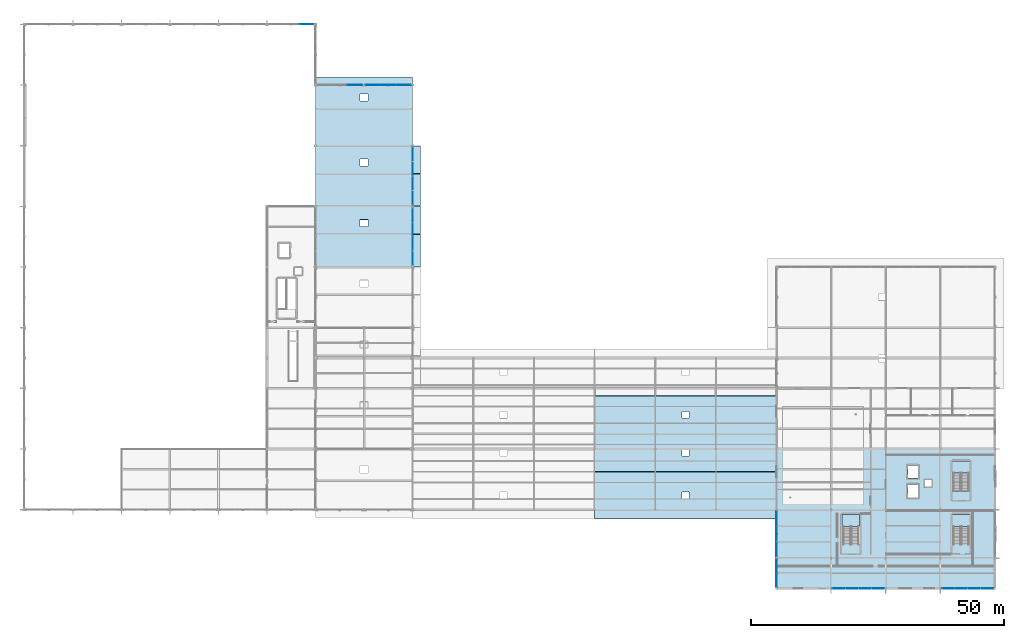
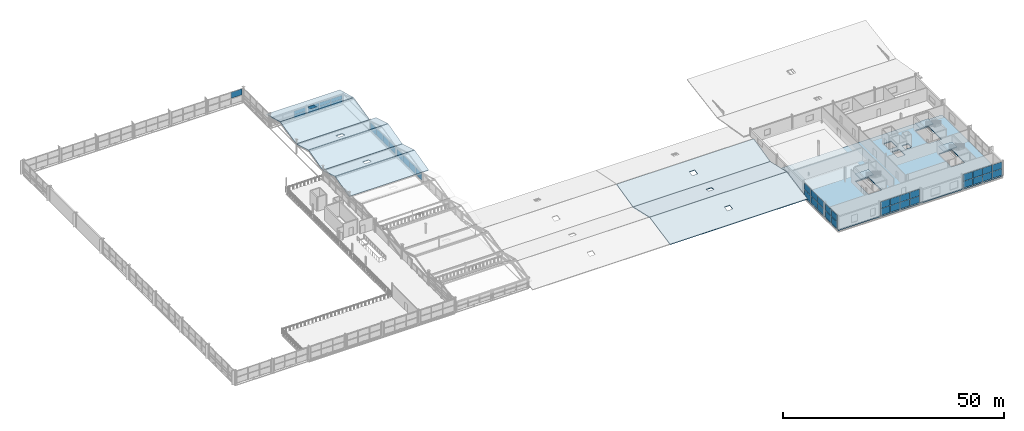
# One storey, part 95 of 117: 43 plates, 13 slabs, 12 elements without a shape of their own.
"""IFC4 building model written with IfcOpenShell, lengths in metres."""

from ifc_helpers import new_model, si_unit, direction, frame, origin, origin_2d, place, context, subcontext, project, spatial, polyline, rectangle, outline, extrude, material, layer, layer_set, type_object, element, aggregate, save


model = new_model("IFC4")

# Units and contexts
model_context = context("Model", 3, precision=1e-05, world=origin(), true_north=direction((0.0, 1.0)))
body_context = subcontext(model_context, "Body", "Model", "MODEL_VIEW")
ifc_project = project(units=[si_unit("LENGTHUNIT", "METRE"), si_unit("AREAUNIT", "SQUARE_METRE"), si_unit("VOLUMEUNIT", "CUBIC_METRE"), si_unit("PLANEANGLEUNIT", "RADIAN"), si_unit("MASSUNIT", "GRAM", prefix="KILO")], contexts=[model_context])

# Site, building, storey
site_placement = place(None, origin())
site = spatial("IfcSite", under=ifc_project, at=site_placement, CompositionType="ELEMENT")
building_placement = place(site_placement, origin())
building = spatial("IfcBuilding", under=site, at=building_placement, Name="Merenkruunu Market Hall", CompositionType="ELEMENT")
storey_placement = place(building_placement, frame((0.0, 0.0, 10.199951171875)))
storey = spatial("IfcBuildingStorey", under=building, at=storey_placement, Name="L02", CompositionType="ELEMENT", Elevation=10.199951171875)

# Curtain wall, plate
ifc_material_1 = material(Name="Powder-coated aluminium", Category="aluminium")
curtain_wall_type_1 = type_object("IfcCurtainWallType", Name="Glazed Curtain Wall CW10", PredefinedType="USERDEFINED", material=ifc_material_1)
curtain_wall_1_placement = place(storey_placement, origin())
curtain_wall_1 = element("IfcCurtainWall", 1, at=curtain_wall_1_placement, inside=storey, type_object=curtain_wall_type_1, Name="CW-L02-CWM02-066", ObjectType="GLAZED_FACADE", PredefinedType="USERDEFINED")
ifc_material_2 = material(Name="Triple low-E insulated glass", Category="glass")
ifc_layer_1 = layer(ifc_material_2, 0.035888671875)
ifc_layer_set_1 = layer_set([ifc_layer_1], Name="Triple low-E insulated glass")
plate_type_1 = type_object("IfcPlateType", Name="Curtain Wall Glazing Panel CWP05", PredefinedType="CURTAIN_PANEL", material=ifc_layer_set_1)
plate_1_placement = place(storey_placement, frame((55.79833984375, 111.60009765625, 1.7802734375), z_axis=(0.0, 0.0, 1.0), x_axis=(1.0, 0.0, 0.0)))
plate_1 = element("IfcPlate", 2, at=plate_1_placement, type_object=plate_type_1, Name="CW10 panel 3.2", PredefinedType="CURTAIN_PANEL", context=body_context, shape_type="SweptSolid", body=[
    extrude(rectangle(XDim=2.92333984375, YDim=0.035888671875, at=origin_2d()), origin(), (0.0, 0.0, 1.0), 1.659912109375),
])
aggregate(curtain_wall_1, [plate_1])

# Curtain wall, plates
curtain_wall_type_2 = type_object("IfcCurtainWallType", Name="Glazed Curtain Wall CW07", PredefinedType="USERDEFINED", material=ifc_material_1)
curtain_wall_2_placement = place(storey_placement, origin())
curtain_wall_2 = element("IfcCurtainWall", 3, at=curtain_wall_2_placement, inside=storey, type_object=curtain_wall_type_2, Name="CW-L02-CWM03-215", ObjectType="GLAZED_FACADE", PredefinedType="USERDEFINED")
plate_2_placement = place(storey_placement, frame((168.824951171875, 0.0, 0.06005859375), z_axis=(0.0, 0.0, 1.0), x_axis=(-1.0, 0.0, 0.0)))
plate_2 = element("IfcPlate", 4, at=plate_2_placement, type_object=plate_type_1, Name="CW07 panel 1.1", PredefinedType="CURTAIN_PANEL", context=body_context, shape_type="SweptSolid", body=[
    extrude(rectangle(XDim=2.469970703125, YDim=0.035888671875, at=origin_2d()), origin(), (0.0, 0.0, 1.0), 1.85009765625),
])
plate_3_placement = place(storey_placement, frame((168.824951171875, 0.0, 1.969970703125), z_axis=(0.0, 0.0, 1.0), x_axis=(-1.0, 0.0, 0.0)))
plate_3 = element("IfcPlate", 5, at=plate_3_placement, type_object=plate_type_1, Name="CW07 panel 1.2", PredefinedType="CURTAIN_PANEL", context=body_context, shape_type="SweptSolid", body=[
    extrude(rectangle(XDim=2.469970703125, YDim=0.035888671875, at=origin_2d()), origin(), (0.0, 0.0, 1.0), 1.85009765625),
])
plate_4_placement = place(storey_placement, frame((166.280029296875, 0.0, 0.06005859375), z_axis=(0.0, 0.0, 1.0), x_axis=(-1.0, 0.0, 0.0)))
plate_4 = element("IfcPlate", 6, at=plate_4_placement, type_object=plate_type_1, Name="CW07 panel 2.1", PredefinedType="CURTAIN_PANEL", context=body_context, shape_type="SweptSolid", body=[
    extrude(rectangle(XDim=2.5, YDim=0.035888671875, at=origin_2d()), origin(), (0.0, 0.0, 1.0), 1.85009765625),
])
plate_5_placement = place(storey_placement, frame((166.280029296875, 0.0, 1.969970703125), z_axis=(0.0, 0.0, 1.0), x_axis=(-1.0, 0.0, 0.0)))
plate_5 = element("IfcPlate", 7, at=plate_5_placement, type_object=plate_type_1, Name="CW07 panel 2.2", PredefinedType="CURTAIN_PANEL", context=body_context, shape_type="SweptSolid", body=[
    extrude(rectangle(XDim=2.5, YDim=0.035888671875, at=origin_2d()), origin(), (0.0, 0.0, 1.0), 1.85009765625),
])
plate_6_placement = place(storey_placement, frame((163.719970703125, 0.0, 0.06005859375), z_axis=(0.0, 0.0, 1.0), x_axis=(-1.0, 0.0, 0.0)))
plate_6 = element("IfcPlate", 8, at=plate_6_placement, type_object=plate_type_1, Name="CW07 panel 3.1", PredefinedType="CURTAIN_PANEL", context=body_context, shape_type="SweptSolid", body=[
    extrude(rectangle(XDim=2.5, YDim=0.035888671875, at=origin_2d()), origin(), (0.0, 0.0, 1.0), 1.85009765625),
])
plate_7_placement = place(storey_placement, frame((163.719970703125, 0.0, 1.969970703125), z_axis=(0.0, 0.0, 1.0), x_axis=(-1.0, 0.0, 0.0)))
plate_7 = element("IfcPlate", 9, at=plate_7_placement, type_object=plate_type_1, Name="CW07 panel 3.2", PredefinedType="CURTAIN_PANEL", context=body_context, shape_type="SweptSolid", body=[
    extrude(rectangle(XDim=2.5, YDim=0.035888671875, at=origin_2d()), origin(), (0.0, 0.0, 1.0), 1.85009765625),
])
plate_8_placement = place(storey_placement, frame((161.175048828125, 0.0, 0.06005859375), z_axis=(0.0, 0.0, 1.0), x_axis=(-1.0, 0.0, 0.0)))
plate_8 = element("IfcPlate", 10, at=plate_8_placement, type_object=plate_type_1, Name="CW07 panel 4.1", PredefinedType="CURTAIN_PANEL", context=body_context, shape_type="SweptSolid", body=[
    extrude(rectangle(XDim=2.469970703125, YDim=0.035888671875, at=origin_2d()), origin(), (0.0, 0.0, 1.0), 1.85009765625),
])
plate_9_placement = place(storey_placement, frame((161.175048828125, 0.0, 1.969970703125), z_axis=(0.0, 0.0, 1.0), x_axis=(-1.0, 0.0, 0.0)))
plate_9 = element("IfcPlate", 11, at=plate_9_placement, type_object=plate_type_1, Name="CW07 panel 4.2", PredefinedType="CURTAIN_PANEL", context=body_context, shape_type="SweptSolid", body=[
    extrude(rectangle(XDim=2.469970703125, YDim=0.035888671875, at=origin_2d()), origin(), (0.0, 0.0, 1.0), 1.85009765625),
])
aggregate(curtain_wall_2, [plate_2, plate_3, plate_4, plate_5, plate_6, plate_7, plate_8, plate_9])

curtain_wall_3_placement = place(storey_placement, origin())
curtain_wall_3 = element("IfcCurtainWall", 12, at=curtain_wall_3_placement, inside=storey, type_object=curtain_wall_type_2, Name="CW-L02-CWM03-216", ObjectType="GLAZED_FACADE", PredefinedType="USERDEFINED")
plate_10_placement = place(storey_placement, frame((190.425048828125, 0.0, 0.06005859375), z_axis=(0.0, 0.0, 1.0), x_axis=(-1.0, 0.0, 0.0)))
plate_10 = element("IfcPlate", 13, at=plate_10_placement, type_object=plate_type_1, Name="CW07 panel 1.1", PredefinedType="CURTAIN_PANEL", context=body_context, shape_type="SweptSolid", body=[
    extrude(rectangle(XDim=2.469970703125, YDim=0.035888671875, at=origin_2d()), origin(), (0.0, 0.0, 1.0), 1.85009765625),
])
plate_11_placement = place(storey_placement, frame((190.425048828125, 0.0, 1.969970703125), z_axis=(0.0, 0.0, 1.0), x_axis=(-1.0, 0.0, 0.0)))
plate_11 = element("IfcPlate", 14, at=plate_11_placement, type_object=plate_type_1, Name="CW07 panel 1.2", PredefinedType="CURTAIN_PANEL", context=body_context, shape_type="SweptSolid", body=[
    extrude(rectangle(XDim=2.469970703125, YDim=0.035888671875, at=origin_2d()), origin(), (0.0, 0.0, 1.0), 1.85009765625),
])
plate_12_placement = place(storey_placement, frame((187.8798828125, 0.0, 0.06005859375), z_axis=(0.0, 0.0, 1.0), x_axis=(-1.0, 0.0, 0.0)))
plate_12 = element("IfcPlate", 15, at=plate_12_placement, type_object=plate_type_1, Name="CW07 panel 2.1", PredefinedType="CURTAIN_PANEL", context=body_context, shape_type="SweptSolid", body=[
    extrude(rectangle(XDim=2.5, YDim=0.035888671875, at=origin_2d()), origin(), (0.0, 0.0, 1.0), 1.85009765625),
])
plate_13_placement = place(storey_placement, frame((187.8798828125, 0.0, 1.969970703125), z_axis=(0.0, 0.0, 1.0), x_axis=(-1.0, 0.0, 0.0)))
plate_13 = element("IfcPlate", 16, at=plate_13_placement, type_object=plate_type_1, Name="CW07 panel 2.2", PredefinedType="CURTAIN_PANEL", context=body_context, shape_type="SweptSolid", body=[
    extrude(rectangle(XDim=2.5, YDim=0.035888671875, at=origin_2d()), origin(), (0.0, 0.0, 1.0), 1.85009765625),
])
plate_14_placement = place(storey_placement, frame((185.320068359375, 0.0, 0.06005859375), z_axis=(0.0, 0.0, 1.0), x_axis=(-1.0, 0.0, 0.0)))
plate_14 = element("IfcPlate", 17, at=plate_14_placement, type_object=plate_type_1, Name="CW07 panel 3.1", PredefinedType="CURTAIN_PANEL", context=body_context, shape_type="SweptSolid", body=[
    extrude(rectangle(XDim=2.5, YDim=0.035888671875, at=origin_2d()), origin(), (0.0, 0.0, 1.0), 1.85009765625),
])
plate_15_placement = place(storey_placement, frame((185.320068359375, 0.0, 1.969970703125), z_axis=(0.0, 0.0, 1.0), x_axis=(-1.0, 0.0, 0.0)))
plate_15 = element("IfcPlate", 18, at=plate_15_placement, type_object=plate_type_1, Name="CW07 panel 3.2", PredefinedType="CURTAIN_PANEL", context=body_context, shape_type="SweptSolid", body=[
    extrude(rectangle(XDim=2.5, YDim=0.035888671875, at=origin_2d()), origin(), (0.0, 0.0, 1.0), 1.85009765625),
])
plate_16_placement = place(storey_placement, frame((182.77490234375, 0.0, 0.06005859375), z_axis=(0.0, 0.0, 1.0), x_axis=(-1.0, 0.0, 0.0)))
plate_16 = element("IfcPlate", 19, at=plate_16_placement, type_object=plate_type_1, Name="CW07 panel 4.1", PredefinedType="CURTAIN_PANEL", context=body_context, shape_type="SweptSolid", body=[
    extrude(rectangle(XDim=2.469970703125, YDim=0.035888671875, at=origin_2d()), origin(), (0.0, 0.0, 1.0), 1.85009765625),
])
plate_17_placement = place(storey_placement, frame((182.77490234375, 0.0, 1.969970703125), z_axis=(0.0, 0.0, 1.0), x_axis=(-1.0, 0.0, 0.0)))
plate_17 = element("IfcPlate", 20, at=plate_17_placement, type_object=plate_type_1, Name="CW07 panel 4.2", PredefinedType="CURTAIN_PANEL", context=body_context, shape_type="SweptSolid", body=[
    extrude(rectangle(XDim=2.469970703125, YDim=0.035888671875, at=origin_2d()), origin(), (0.0, 0.0, 1.0), 1.85009765625),
])
aggregate(curtain_wall_3, [plate_10, plate_11, plate_12, plate_13, plate_14, plate_15, plate_16, plate_17])

curtain_wall_type_3 = type_object("IfcCurtainWallType", Name="Clerestory Curtain Band CL02", PredefinedType="USERDEFINED", material=ifc_material_1)
curtain_wall_4_placement = place(storey_placement, origin())
curtain_wall_4 = element("IfcCurtainWall", 21, at=curtain_wall_4_placement, inside=storey, type_object=curtain_wall_type_3, Name="CW-L02-CWM04-164", ObjectType="CLERESTORY_BAND", PredefinedType="USERDEFINED")
ifc_layer_2 = layer(ifc_material_2, 0.035888671875)
ifc_layer_set_2 = layer_set([ifc_layer_2], Name="Triple low-E insulated glass")
plate_type_2 = type_object("IfcPlateType", Name="Curtain Wall Glazing Panel CWP07", PredefinedType="CURTAIN_PANEL", material=ifc_layer_set_2)
plate_18_placement = place(storey_placement, frame((76.800048828125, 73.87255859375, 0.06005859375), z_axis=(0.0, 0.0, 1.0), x_axis=(0.0, -1.0, 0.0)))
plate_18 = element("IfcPlate", 22, at=plate_18_placement, type_object=plate_type_2, Name="CL02 panel 1.1", PredefinedType="CURTAIN_PANEL", context=body_context, shape_type="SweptSolid", body=[
    extrude(rectangle(XDim=2.7548828125, YDim=0.035888671875, at=origin_2d()), origin(), (0.0, 0.0, 1.0), 1.97998046875),
])
plate_19_placement = place(storey_placement, frame((76.800048828125, 71.030029296875, 0.06005859375), z_axis=(0.0, 0.0, 1.0), x_axis=(0.0, -1.0, 0.0)))
plate_19 = element("IfcPlate", 23, at=plate_19_placement, type_object=plate_type_2, Name="CL02 panel 2.1", PredefinedType="CURTAIN_PANEL", context=body_context, shape_type="SweptSolid", body=[
    extrude(rectangle(XDim=2.7900390625, YDim=0.035888671875, at=origin_2d()), origin(), (0.0, 0.0, 1.0), 1.97998046875),
])
plate_20_placement = place(storey_placement, frame((76.800048828125, 68.169921875, 0.06005859375), z_axis=(0.0, 0.0, 1.0), x_axis=(0.0, -1.0, 0.0)))
plate_20 = element("IfcPlate", 24, at=plate_20_placement, type_object=plate_type_2, Name="CL02 panel 3.1", PredefinedType="CURTAIN_PANEL", context=body_context, shape_type="SweptSolid", body=[
    extrude(rectangle(XDim=2.7900390625, YDim=0.035888671875, at=origin_2d()), origin(), (0.0, 0.0, 1.0), 1.97998046875),
])
plate_21_placement = place(storey_placement, frame((76.800048828125, 65.327392578125, 0.06005859375), z_axis=(0.0, 0.0, 1.0), x_axis=(0.0, -1.0, 0.0)))
plate_21 = element("IfcPlate", 25, at=plate_21_placement, type_object=plate_type_2, Name="CL02 panel 4.1", PredefinedType="CURTAIN_PANEL", context=body_context, shape_type="SweptSolid", body=[
    extrude(rectangle(XDim=2.7548828125, YDim=0.035888671875, at=origin_2d()), origin(), (0.0, 0.0, 1.0), 1.97998046875),
])
aggregate(curtain_wall_4, [plate_18, plate_19, plate_20, plate_21])

curtain_wall_5_placement = place(storey_placement, origin())
curtain_wall_5 = element("IfcCurtainWall", 26, at=curtain_wall_5_placement, inside=storey, type_object=curtain_wall_type_3, Name="CW-L02-CWM04-167", ObjectType="CLERESTORY_BAND", PredefinedType="USERDEFINED")
plate_22_placement = place(storey_placement, frame((76.800048828125, 85.87255859375, 0.06005859375), z_axis=(0.0, 0.0, 1.0), x_axis=(0.0, -1.0, 0.0)))
plate_22 = element("IfcPlate", 27, at=plate_22_placement, type_object=plate_type_2, Name="CL02 panel 1.1", PredefinedType="CURTAIN_PANEL", context=body_context, shape_type="SweptSolid", body=[
    extrude(rectangle(XDim=2.7548828125, YDim=0.035888671875, at=origin_2d()), origin(), (0.0, 0.0, 1.0), 1.97998046875),
])
plate_23_placement = place(storey_placement, frame((76.800048828125, 83.030029296875, 0.06005859375), z_axis=(0.0, 0.0, 1.0), x_axis=(0.0, -1.0, 0.0)))
plate_23 = element("IfcPlate", 28, at=plate_23_placement, type_object=plate_type_2, Name="CL02 panel 2.1", PredefinedType="CURTAIN_PANEL", context=body_context, shape_type="SweptSolid", body=[
    extrude(rectangle(XDim=2.7900390625, YDim=0.035888671875, at=origin_2d()), origin(), (0.0, 0.0, 1.0), 1.97998046875),
])
plate_24_placement = place(storey_placement, frame((76.800048828125, 80.169921875, 0.06005859375), z_axis=(0.0, 0.0, 1.0), x_axis=(0.0, -1.0, 0.0)))
plate_24 = element("IfcPlate", 29, at=plate_24_placement, type_object=plate_type_2, Name="CL02 panel 3.1", PredefinedType="CURTAIN_PANEL", context=body_context, shape_type="SweptSolid", body=[
    extrude(rectangle(XDim=2.7900390625, YDim=0.035888671875, at=origin_2d()), origin(), (0.0, 0.0, 1.0), 1.97998046875),
])
plate_25_placement = place(storey_placement, frame((76.800048828125, 77.327392578125, 0.06005859375), z_axis=(0.0, 0.0, 1.0), x_axis=(0.0, -1.0, 0.0)))
plate_25 = element("IfcPlate", 30, at=plate_25_placement, type_object=plate_type_2, Name="CL02 panel 4.1", PredefinedType="CURTAIN_PANEL", context=body_context, shape_type="SweptSolid", body=[
    extrude(rectangle(XDim=2.7548828125, YDim=0.035888671875, at=origin_2d()), origin(), (0.0, 0.0, 1.0), 1.97998046875),
])
aggregate(curtain_wall_5, [plate_22, plate_23, plate_24, plate_25])

curtain_wall_type_4 = type_object("IfcCurtainWallType", Name="Glazed Curtain Wall CW16", PredefinedType="USERDEFINED", material=ifc_material_1)
curtain_wall_6_placement = place(storey_placement, origin())
curtain_wall_6 = element("IfcCurtainWall", 31, at=curtain_wall_6_placement, inside=storey, type_object=curtain_wall_type_4, Name="CW-L02-CWM04-144", ObjectType="GLAZED_FACADE", PredefinedType="USERDEFINED")
ifc_layer_3 = layer(ifc_material_2, 0.0380859375)
ifc_layer_set_3 = layer_set([ifc_layer_3], Name="Triple low-E insulated glass")
plate_type_3 = type_object("IfcPlateType", Name="Curtain Wall Glazing Panel CWP10", PredefinedType="CURTAIN_PANEL", material=ifc_layer_set_3)
plate_26_placement = place(storey_placement, frame((65.395751953125, 99.60009765625, 0.06005859375), z_axis=(0.0, 0.0, 1.0), x_axis=(1.0, 0.0, 0.0)))
plate_26 = element("IfcPlate", 32, at=plate_26_placement, type_object=plate_type_3, Name="CW16 panel 3.1", PredefinedType="CURTAIN_PANEL", context=body_context, shape_type="SweptSolid", body=[
    extrude(rectangle(XDim=2.908447265625, YDim=0.0380859375, at=origin_2d()), origin(), (0.0, 0.0, 1.0), 1.034912109375),
])
plate_27_placement = place(storey_placement, frame((65.395751953125, 99.60009765625, 1.1552734375), z_axis=(0.0, 0.0, 1.0), x_axis=(1.0, 0.0, 0.0)))
plate_27 = element("IfcPlate", 33, at=plate_27_placement, type_object=plate_type_3, Name="CW16 panel 3.2", PredefinedType="CURTAIN_PANEL", context=body_context, shape_type="SweptSolid", body=[
    extrude(rectangle(XDim=2.908447265625, YDim=0.0380859375, at=origin_2d()), origin(), (0.0, 0.0, 1.0), 1.034912109375),
])
aggregate(curtain_wall_6, [plate_26, plate_27])

curtain_wall_7_placement = place(storey_placement, origin())
curtain_wall_7 = element("IfcCurtainWall", 34, at=curtain_wall_7_placement, inside=storey, type_object=curtain_wall_type_4, Name="CW-L02-CWM04-150", ObjectType="GLAZED_FACADE", PredefinedType="USERDEFINED")
plate_28_placement = place(storey_placement, frame((69.004150390625, 99.60009765625, 0.06005859375), z_axis=(0.0, 0.0, 1.0), x_axis=(1.0, 0.0, 0.0)))
plate_28 = element("IfcPlate", 35, at=plate_28_placement, type_object=plate_type_3, Name="CW16 panel 1.1", PredefinedType="CURTAIN_PANEL", context=body_context, shape_type="SweptSolid", body=[
    extrude(rectangle(XDim=2.908447265625, YDim=0.0380859375, at=origin_2d()), origin(), (0.0, 0.0, 1.0), 1.034912109375),
])
plate_29_placement = place(storey_placement, frame((69.004150390625, 99.60009765625, 1.1552734375), z_axis=(0.0, 0.0, 1.0), x_axis=(1.0, 0.0, 0.0)))
plate_29 = element("IfcPlate", 36, at=plate_29_placement, type_object=plate_type_3, Name="CW16 panel 1.2", PredefinedType="CURTAIN_PANEL", context=body_context, shape_type="SweptSolid", body=[
    extrude(rectangle(XDim=2.908447265625, YDim=0.0380859375, at=origin_2d()), origin(), (0.0, 0.0, 1.0), 1.034912109375),
])
plate_30_placement = place(storey_placement, frame((72.0, 99.60009765625, 0.06005859375), z_axis=(0.0, 0.0, 1.0), x_axis=(1.0, 0.0, 0.0)))
plate_30 = element("IfcPlate", 37, at=plate_30_placement, type_object=plate_type_3, Name="CW16 panel 2.1", PredefinedType="CURTAIN_PANEL", context=body_context, shape_type="SweptSolid", body=[
    extrude(rectangle(XDim=2.943359375, YDim=0.0380859375, at=origin_2d()), origin(), (0.0, 0.0, 1.0), 1.034912109375),
])
plate_31_placement = place(storey_placement, frame((72.0, 99.60009765625, 1.1552734375), z_axis=(0.0, 0.0, 1.0), x_axis=(1.0, 0.0, 0.0)))
plate_31 = element("IfcPlate", 38, at=plate_31_placement, type_object=plate_type_3, Name="CW16 panel 2.2", PredefinedType="CURTAIN_PANEL", context=body_context, shape_type="SweptSolid", body=[
    extrude(rectangle(XDim=2.943359375, YDim=0.0380859375, at=origin_2d()), origin(), (0.0, 0.0, 1.0), 1.034912109375),
])
plate_32_placement = place(storey_placement, frame((74.995849609375, 99.60009765625, 0.06005859375), z_axis=(0.0, 0.0, 1.0), x_axis=(1.0, 0.0, 0.0)))
plate_32 = element("IfcPlate", 39, at=plate_32_placement, type_object=plate_type_3, Name="CW16 panel 3.1", PredefinedType="CURTAIN_PANEL", context=body_context, shape_type="SweptSolid", body=[
    extrude(rectangle(XDim=2.908447265625, YDim=0.0380859375, at=origin_2d()), origin(), (0.0, 0.0, 1.0), 1.034912109375),
])
plate_33_placement = place(storey_placement, frame((74.995849609375, 99.60009765625, 1.1552734375), z_axis=(0.0, 0.0, 1.0), x_axis=(1.0, 0.0, 0.0)))
plate_33 = element("IfcPlate", 40, at=plate_33_placement, type_object=plate_type_3, Name="CW16 panel 3.2", PredefinedType="CURTAIN_PANEL", context=body_context, shape_type="SweptSolid", body=[
    extrude(rectangle(XDim=2.908447265625, YDim=0.0380859375, at=origin_2d()), origin(), (0.0, 0.0, 1.0), 1.034912109375),
])
aggregate(curtain_wall_7, [plate_28, plate_29, plate_30, plate_31, plate_32, plate_33])

curtain_wall_type_5 = type_object("IfcCurtainWallType", Name="Glazed Curtain Wall CW14", PredefinedType="USERDEFINED", material=ifc_material_1)
curtain_wall_8_placement = place(storey_placement, origin())
curtain_wall_8 = element("IfcCurtainWall", 41, at=curtain_wall_8_placement, inside=storey, type_object=curtain_wall_type_5, Name="CW-L02-CWM02-218", ObjectType="GLAZED_FACADE", PredefinedType="USERDEFINED")
plate_34_placement = place(storey_placement, frame((148.800048828125, 1.655029296875, 0.06005859375), z_axis=(0.0, 0.0, 1.0), x_axis=(0.0, 1.0, 0.0)))
plate_34 = element("IfcPlate", 42, at=plate_34_placement, type_object=plate_type_3, Name="CW14 panel 1.1", PredefinedType="CURTAIN_PANEL", context=body_context, shape_type="SweptSolid", body=[
    extrude(rectangle(XDim=2.6298828125, YDim=0.0380859375, at=origin_2d()), origin(), (0.0, 0.0, 1.0), 1.85009765625),
])
plate_35_placement = place(storey_placement, frame((148.800048828125, 1.655029296875, 1.969970703125), z_axis=(0.0, 0.0, 1.0), x_axis=(0.0, 1.0, 0.0)))
plate_35 = element("IfcPlate", 43, at=plate_35_placement, type_object=plate_type_3, Name="CW14 panel 1.2", PredefinedType="CURTAIN_PANEL", context=body_context, shape_type="SweptSolid", body=[
    extrude(rectangle(XDim=2.6298828125, YDim=0.0380859375, at=origin_2d()), origin(), (0.0, 0.0, 1.0), 1.85009765625),
])
plate_36_placement = place(storey_placement, frame((148.800048828125, 4.344970703125, 0.06005859375), z_axis=(0.0, 0.0, 1.0), x_axis=(0.0, 1.0, 0.0)))
plate_36 = element("IfcPlate", 44, at=plate_36_placement, type_object=plate_type_3, Name="CW14 panel 2.1", PredefinedType="CURTAIN_PANEL", context=body_context, shape_type="SweptSolid", body=[
    extrude(rectangle(XDim=2.6298828125, YDim=0.0380859375, at=origin_2d()), origin(), (0.0, 0.0, 1.0), 1.85009765625),
])
plate_37_placement = place(storey_placement, frame((148.800048828125, 4.344970703125, 1.969970703125), z_axis=(0.0, 0.0, 1.0), x_axis=(0.0, 1.0, 0.0)))
plate_37 = element("IfcPlate", 45, at=plate_37_placement, type_object=plate_type_3, Name="CW14 panel 2.2", PredefinedType="CURTAIN_PANEL", context=body_context, shape_type="SweptSolid", body=[
    extrude(rectangle(XDim=2.6298828125, YDim=0.0380859375, at=origin_2d()), origin(), (0.0, 0.0, 1.0), 1.85009765625),
])
aggregate(curtain_wall_8, [plate_34, plate_35, plate_36, plate_37])

curtain_wall_9_placement = place(storey_placement, origin())
curtain_wall_9 = element("IfcCurtainWall", 46, at=curtain_wall_9_placement, inside=storey, type_object=curtain_wall_type_5, Name="CW-L02-CWM02-219", ObjectType="GLAZED_FACADE", PredefinedType="USERDEFINED")
plate_38_placement = place(storey_placement, frame((148.800048828125, 7.8017578125, 0.06005859375), z_axis=(0.0, 0.0, 1.0), x_axis=(0.0, 1.0, 0.0)))
plate_38 = element("IfcPlate", 47, at=plate_38_placement, type_object=plate_type_3, Name="CW14 panel 1.1", PredefinedType="CURTAIN_PANEL", context=body_context, shape_type="SweptSolid", body=[
    extrude(rectangle(XDim=2.92333984375, YDim=0.0380859375, at=origin_2d()), origin(), (0.0, 0.0, 1.0), 1.85009765625),
])
plate_39_placement = place(storey_placement, frame((148.800048828125, 7.8017578125, 1.969970703125), z_axis=(0.0, 0.0, 1.0), x_axis=(0.0, 1.0, 0.0)))
plate_39 = element("IfcPlate", 48, at=plate_39_placement, type_object=plate_type_3, Name="CW14 panel 1.2", PredefinedType="CURTAIN_PANEL", context=body_context, shape_type="SweptSolid", body=[
    extrude(rectangle(XDim=2.92333984375, YDim=0.0380859375, at=origin_2d()), origin(), (0.0, 0.0, 1.0), 1.85009765625),
])
plate_40_placement = place(storey_placement, frame((148.800048828125, 10.800048828125, 0.06005859375), z_axis=(0.0, 0.0, 1.0), x_axis=(0.0, 1.0, 0.0)))
plate_40 = element("IfcPlate", 49, at=plate_40_placement, type_object=plate_type_3, Name="CW14 panel 2.1", PredefinedType="CURTAIN_PANEL", context=body_context, shape_type="SweptSolid", body=[
    extrude(rectangle(XDim=2.953369140625, YDim=0.0380859375, at=origin_2d()), origin(), (0.0, 0.0, 1.0), 1.85009765625),
])
plate_41_placement = place(storey_placement, frame((148.800048828125, 10.800048828125, 1.969970703125), z_axis=(0.0, 0.0, 1.0), x_axis=(0.0, 1.0, 0.0)))
plate_41 = element("IfcPlate", 50, at=plate_41_placement, type_object=plate_type_3, Name="CW14 panel 2.2", PredefinedType="CURTAIN_PANEL", context=body_context, shape_type="SweptSolid", body=[
    extrude(rectangle(XDim=2.953369140625, YDim=0.0380859375, at=origin_2d()), origin(), (0.0, 0.0, 1.0), 1.85009765625),
])
plate_42_placement = place(storey_placement, frame((148.800048828125, 13.79833984375, 0.06005859375), z_axis=(0.0, 0.0, 1.0), x_axis=(0.0, 1.0, 0.0)))
plate_42 = element("IfcPlate", 51, at=plate_42_placement, type_object=plate_type_3, Name="CW14 panel 3.1", PredefinedType="CURTAIN_PANEL", context=body_context, shape_type="SweptSolid", body=[
    extrude(rectangle(XDim=2.92333984375, YDim=0.0380859375, at=origin_2d()), origin(), (0.0, 0.0, 1.0), 1.85009765625),
])
plate_43_placement = place(storey_placement, frame((148.800048828125, 13.79833984375, 1.969970703125), z_axis=(0.0, 0.0, 1.0), x_axis=(0.0, 1.0, 0.0)))
plate_43 = element("IfcPlate", 52, at=plate_43_placement, type_object=plate_type_3, Name="CW14 panel 3.2", PredefinedType="CURTAIN_PANEL", context=body_context, shape_type="SweptSolid", body=[
    extrude(rectangle(XDim=2.92333984375, YDim=0.0380859375, at=origin_2d()), origin(), (0.0, 0.0, 1.0), 1.85009765625),
])
aggregate(curtain_wall_9, [plate_38, plate_39, plate_40, plate_41, plate_42, plate_43])

# Slabs
ifc_material_3 = material(Name="High-albedo white roof Steel S355ML", Category="steel")
ifc_layer_4 = layer(ifc_material_3, 0.179931640625)
ifc_layer_set_4 = layer_set([ifc_layer_4], Name="High-albedo white roof Steel S355ML")
slab_type_1 = type_object("IfcSlabType", Name="Sloped Or Flat Roof Deck RS02", PredefinedType="ROOF", material=ifc_layer_set_4)
slab_1_placement = place(storey_placement, frame((112.800048828125, 13.800048828125, 0.199951171875), z_axis=(0.0, -0.195110908109, 0.98078118535), x_axis=(1.0, 0.0, 0.0)))
element("IfcSlab", 53, at=slab_1_placement, inside=storey, type_object=slab_type_1, Name="SL-ROOF-V2-2-F1S", PredefinedType="ROOF", context=body_context, shape_type="SweptSolid", body=[
    extrude(outline(polyline([(0.0, 0.0), (36.0, 0.0), (36.0, 9.482287147264152), (0.0, 9.482287147264152), (0.0, 0.0)]), holes=[polyline([(17.300048828125, 4.078413208303833), (18.699951171875, 4.078413208303833), (18.699951171875, 5.403921573459369), (17.300048828125, 5.403921573459369), (17.300048828125, 4.078413208303833)])]), origin(), (0.0, 0.0, -1.0), 0.179931640625),
])
slab_2_placement = place(storey_placement, frame((112.800048828125, 23.10009765625, 2.050048828125), z_axis=(0.0, 0.221052991553, 0.975261798147), x_axis=(1.0, 0.0, 0.0)))
element("IfcSlab", 54, at=slab_2_placement, inside=storey, type_object=slab_type_1, Name="SL-ROOF-V2-2-F1N", PredefinedType="ROOF", context=body_context, shape_type="SweptSolid", body=[
    extrude(outline(polyline([(0.0, 0.0), (36.0, 0.0), (36.0, 7.69024277814161), (0.0, 7.69024277814161), (0.0, 0.0)]), holes=[polyline([(17.300048828125, 3.1784886622962816), (18.699951171875, 3.1784886622962816), (18.699951171875, 4.51151601482039), (17.300048828125, 4.51151601482039), (17.300048828125, 3.1784886622962816)])]), origin(), (0.0, 0.0, -1.0), 0.179931640625),
])
slab_3_placement = place(storey_placement, frame((112.800048828125, 30.60009765625, 0.35009765625), z_axis=(0.0, -0.227229615606, 0.973841209742), x_axis=(1.0, 0.0, 0.0)))
element("IfcSlab", 55, at=slab_3_placement, inside=storey, type_object=slab_type_1, Name="SL-ROOF-V2-2-F2S", PredefinedType="ROOF", context=body_context, shape_type="SweptSolid", body=[
    extrude(outline(polyline([(0.0, 0.0), (36.0, 0.0), (36.0, 7.701460900374682), (0.0, 7.701460900374682), (0.0, 0.0)]), holes=[polyline([(17.300048828125, 3.183084951542422), (18.699951171875, 3.183084951542422), (18.699951171875, 4.51808271865029), (17.300048828125, 4.51808271865029), (17.300048828125, 3.183084951542422)])]), origin(), (0.0, 0.0, -1.0), 0.179931640625),
])
slab_4_placement = place(storey_placement, frame((57.60009765625, 63.6298828125, 2.60009765625), z_axis=(0.0, -0.24889989154, 0.968529216901), x_axis=(1.0, 0.0, 0.0)))
element("IfcSlab", 56, at=slab_4_placement, inside=storey, type_object=slab_type_1, Name="SL-ROOF-V4-SAW05A", PredefinedType="ROOF", context=body_context, shape_type="SweptSolid", body=[
    extrude(outline(polyline([(0.0, 0.0), (20.7998046875, 0.0), (20.7998046875, 6.628778877900359), (0.0, 6.628778877900359), (0.0, 0.0)])), origin(), (0.0, 0.0, -1.0), 0.179931640625),
])
slab_5_placement = place(storey_placement, frame((57.60009765625, 70.110107421875, 4.25), z_axis=(0.0, 0.289263634629, 0.957249470975), x_axis=(1.0, 0.0, 0.0)))
element("IfcSlab", 57, at=slab_5_placement, inside=storey, type_object=slab_type_1, Name="SL-ROOF-V4-SAW05B", PredefinedType="ROOF", context=body_context, shape_type="SweptSolid", body=[
    extrude(outline(polyline([(0.0, 0.0), (20.7998046875, 0.0), (20.7998046875, 5.7038014677000834), (0.0, 5.7038014677000834), (0.0, 0.0)]), holes=[polyline([(8.7998046875, 1.535588285187606), (10.39990234375, 1.535588285187606), (10.39990234375, 2.9980302640402967), (8.7998046875, 2.9980302640402967), (8.7998046875, 1.535588285187606)])]), origin(), (0.0, 0.0, -1.0), 0.179931640625),
])
slab_6_placement = place(storey_placement, frame((57.60009765625, 75.6298828125, 2.60009765625), z_axis=(0.0, -0.24889989154, 0.968529216901), x_axis=(1.0, 0.0, 0.0)))
element("IfcSlab", 58, at=slab_6_placement, inside=storey, type_object=slab_type_1, Name="SL-ROOF-V4-SAW06A", PredefinedType="ROOF", context=body_context, shape_type="SweptSolid", body=[
    extrude(outline(polyline([(0.0, 0.0), (20.7998046875, 0.0), (20.7998046875, 6.628778877900359), (0.0, 6.628778877900359), (0.0, 0.0)])), origin(), (0.0, 0.0, -1.0), 0.179931640625),
])
slab_7_placement = place(storey_placement, frame((57.60009765625, 82.110107421875, 4.25), z_axis=(0.0, 0.289263634629, 0.957249470975), x_axis=(1.0, 0.0, 0.0)))
element("IfcSlab", 59, at=slab_7_placement, inside=storey, type_object=slab_type_1, Name="SL-ROOF-V4-SAW06B", PredefinedType="ROOF", context=body_context, shape_type="SweptSolid", body=[
    extrude(outline(polyline([(0.0, 0.0), (20.7998046875, 0.0), (20.7998046875, 5.7038014677000834), (0.0, 5.7038014677000834), (0.0, 0.0)]), holes=[polyline([(8.7998046875, 1.535588285187606), (10.39990234375, 1.535588285187606), (10.39990234375, 2.9980302640402967), (8.7998046875, 2.9980302640402967), (8.7998046875, 1.535588285187606)])]), origin(), (0.0, 0.0, -1.0), 0.179931640625),
])
slab_8_placement = place(storey_placement, frame((57.60009765625, 87.6298828125, 2.60009765625), z_axis=(0.0, -0.220908961558, 0.975294432827), x_axis=(1.0, 0.0, 0.0)))
element("IfcSlab", 60, at=slab_8_placement, inside=storey, type_object=slab_type_1, Name="SL-ROOF-V4-SAW07A", PredefinedType="ROOF", context=body_context, shape_type="SweptSolid", body=[
    extrude(outline(polyline([(0.0, 0.0), (19.199951171875, 0.0), (19.199951171875, 7.468698110360287), (0.0, 7.468698110360287), (0.0, 0.0)])), origin(), (0.0, 0.0, -1.0), 0.179931640625),
])
slab_9_placement = place(storey_placement, frame((57.60009765625, 94.97412109375, 4.25), z_axis=(0.0, 0.2573261015, 0.966324623243), x_axis=(1.0, 0.0, 0.0)))
element("IfcSlab", 61, at=slab_9_placement, inside=storey, type_object=slab_type_1, Name="SL-ROOF-V4-SAW07B", PredefinedType="ROOF", context=body_context, shape_type="SweptSolid", body=[
    extrude(outline(polyline([(0.0, 0.0), (19.199951171875, 0.0), (19.199951171875, 6.411717793606472), (0.0, 6.411717793606472), (0.0, 0.0)]), holes=[polyline([(8.7998046875, 1.5211753655405236), (10.39990234375, 1.5211753655405236), (10.39990234375, 2.9698673447077804), (8.7998046875, 2.9698673447077804), (8.7998046875, 1.5211753655405236)])]), origin(), (0.0, 0.0, -1.0), 0.179931640625),
])

# Stair, slab
ifc_material_4 = material(Name="Concrete C35/45", Category="concrete")
stair_type = type_object("IfcStairType", Name="Two Flight Half Turn Stair ST04", PredefinedType="TWO_STRAIGHT_RUN_STAIR", material=ifc_material_4)
stair_1_placement = place(storey_placement, origin())
stair_1 = element("IfcStair", 62, at=stair_1_placement, inside=storey, type_object=stair_type, Name="Protected Stair ST11 (K5 L02-L03)", PredefinedType="TWO_STRAIGHT_RUN_STAIR")
ifc_layer_5 = layer(ifc_material_4, 0.18994140625)
ifc_layer_set_5 = layer_set([ifc_layer_5], Name="Concrete C35/45")
slab_type_2 = type_object("IfcSlabType", Name="Stair Half Landing LS01", PredefinedType="LANDING", material=ifc_layer_set_5)
slab_10_placement = place(storey_placement, frame((0.0, 0.0, 1.91015625)))
slab_10 = element("IfcSlab", 63, at=slab_10_placement, type_object=slab_type_2, Name="ST11 landing 1", PredefinedType="LANDING", context=body_context, shape_type="SweptSolid", body=[
    extrude(outline(polyline([(183.554931640625, 12.280029296875), (187.044921875, 12.280029296875), (187.044921875, 14.64501953125), (183.554931640625, 14.64501953125), (183.554931640625, 12.280029296875)])), origin(), (0.0, 0.0, 1.0), 0.18994140625),
])
aggregate(stair_1, [slab_10])

stair_2_placement = place(storey_placement, origin())
stair_2 = element("IfcStair", 64, at=stair_2_placement, inside=storey, type_object=stair_type, Name="Protected Stair ST15 (K6 L02-L03)", PredefinedType="TWO_STRAIGHT_RUN_STAIR")
slab_11_placement = place(storey_placement, frame((0.0, 0.0, 1.91015625)))
slab_11 = element("IfcSlab", 65, at=slab_11_placement, type_object=slab_type_2, Name="ST15 landing 1", PredefinedType="LANDING", context=body_context, shape_type="SweptSolid", body=[
    extrude(outline(polyline([(183.554931640625, 22.8798828125), (187.044921875, 22.8798828125), (187.044921875, 25.2451171875), (183.554931640625, 25.2451171875), (183.554931640625, 22.8798828125)])), origin(), (0.0, 0.0, 1.0), 0.18994140625),
])
aggregate(stair_2, [slab_11])

stair_3_placement = place(storey_placement, origin())
stair_3 = element("IfcStair", 66, at=stair_3_placement, inside=storey, type_object=stair_type, Name="Protected Stair ST21 (K9 L02-L03)", PredefinedType="TWO_STRAIGHT_RUN_STAIR")
slab_12_placement = place(storey_placement, frame((0.0, 0.0, 1.91015625)))
slab_12 = element("IfcSlab", 67, at=slab_12_placement, type_object=slab_type_2, Name="ST21 landing 1", PredefinedType="LANDING", context=body_context, shape_type="SweptSolid", body=[
    extrude(outline(polyline([(161.7548828125, 12.280029296875), (165.2451171875, 12.280029296875), (165.2451171875, 14.64501953125), (161.7548828125, 14.64501953125), (161.7548828125, 12.280029296875)])), origin(), (0.0, 0.0, 1.0), 0.18994140625),
])
aggregate(stair_3, [slab_12])

# Slab
ifc_layer_6 = layer(ifc_material_4, 0.31005859375)
ifc_layer_set_6 = layer_set([ifc_layer_6], Name="Concrete C35/45")
slab_type_3 = type_object("IfcSlabType", Name="Suspended Floor Slab FS04", PredefinedType="FLOOR", material=ifc_layer_set_6)
slab_13_placement = place(storey_placement, frame((0.0, 0.0, -0.31005859375)))
element("IfcSlab", 68, at=slab_13_placement, inside=storey, type_object=slab_type_3, Name="SL-L02-V3S", PredefinedType="FLOOR", context=body_context, shape_type="SweptSolid", body=[
    extrude(outline(polyline([(148.800048828125, 0.0), (192.0, 0.0), (192.0, 27.60009765625), (148.800048828125, 27.60009765625), (148.800048828125, 0.0)]), holes=[polyline([(183.590087890625, 8.659912109375), (187.010009765625, 8.659912109375), (187.010009765625, 14.610107421875), (183.590087890625, 14.610107421875), (183.590087890625, 8.659912109375)]), polyline([(183.590087890625, 19.260009765625), (187.010009765625, 19.260009765625), (187.010009765625, 25.2099609375), (183.590087890625, 25.2099609375), (183.590087890625, 19.260009765625)]), polyline([(161.7900390625, 8.659912109375), (165.2099609375, 8.659912109375), (165.2099609375, 14.610107421875), (161.7900390625, 14.610107421875), (161.7900390625, 8.659912109375)]), polyline([(174.820068359375, 18.02001953125), (176.780029296875, 18.02001953125), (176.780029296875, 20.580078125), (174.820068359375, 20.580078125), (174.820068359375, 18.02001953125)]), polyline([(174.820068359375, 21.820068359375), (176.780029296875, 21.820068359375), (176.780029296875, 24.3798828125), (174.820068359375, 24.3798828125), (174.820068359375, 21.820068359375)]), polyline([(178.0, 20.0), (179.60009765625, 20.0), (179.60009765625, 21.60009765625), (178.0, 21.60009765625), (178.0, 20.0)])]), origin(), (0.0, 0.0, 1.0), 0.31005859375),
])

save(model, "model.ifc")
